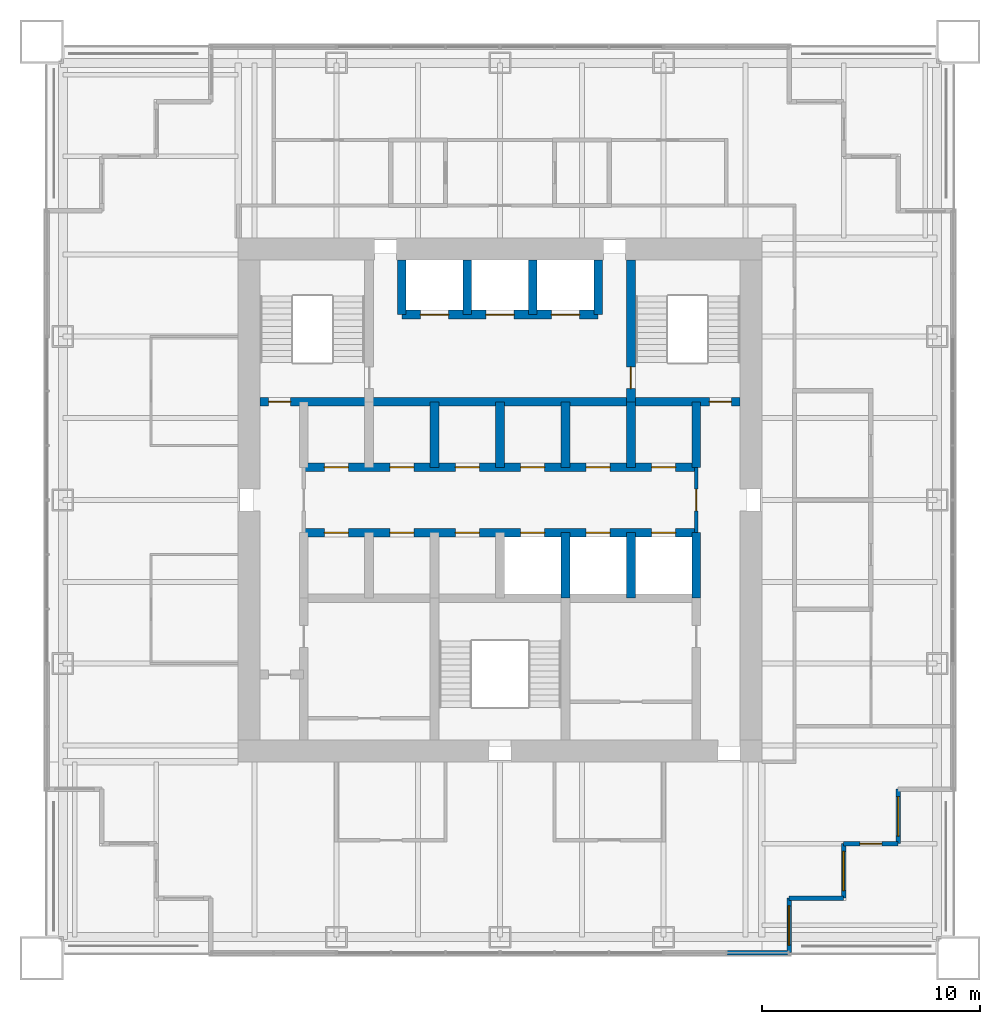
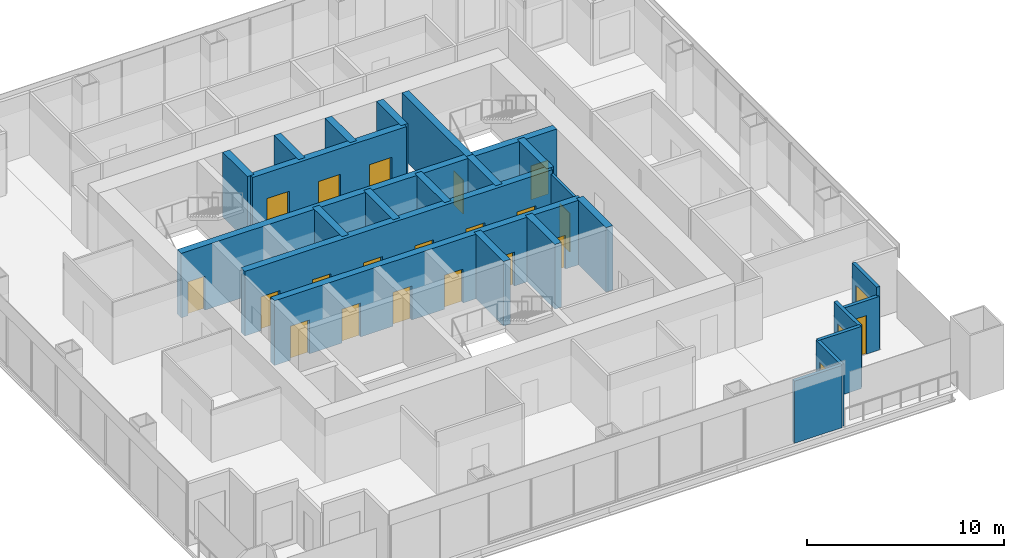
# One storey, part 10 of 14: 24 walls, 20 doors, 3 windows, 23 openings.
"""IFC4 building model written with IfcOpenShell, lengths in metres."""

from ifc_helpers import new_model, si_unit, direction, frame, frame_2d, origin, place, context, subcontext, project, spatial, rectangle, extrude, material, layer, layer_set, type_object, element, fill, save


model = new_model("IFC4")

# Units and contexts
model_context = context("Model", 3, precision=1e-05, world=origin(), true_north=direction((0.0, 1.0)))
body_context = subcontext(model_context, "Body", "Model", "MODEL_VIEW")
ifc_project = project(units=[si_unit("LENGTHUNIT", "METRE"), si_unit("AREAUNIT", "SQUARE_METRE"), si_unit("VOLUMEUNIT", "CUBIC_METRE"), si_unit("PLANEANGLEUNIT", "RADIAN"), si_unit("MASSUNIT", "GRAM", prefix="KILO")], contexts=[model_context])

# Site, building, storey
site_placement = place(None, origin())
site = spatial("IfcSite", under=ifc_project, at=site_placement, CompositionType="ELEMENT")
building_placement = place(site_placement, origin())
building = spatial("IfcBuilding", under=site, at=building_placement, Name="Tarangal Relay Tower", CompositionType="ELEMENT")
storey_placement = place(building_placement, frame((0.0, 0.0, 323.89990234375)))
storey = spatial("IfcBuildingStorey", under=building, at=storey_placement, Name="L72", CompositionType="ELEMENT", Elevation=323.89990234375)

# Wall, openings, doors
ifc_material_1 = material(Name="Concrete fc' 60 MPa", Category="concrete")
ifc_layer_1 = layer(ifc_material_1, 0.39990234375)
ifc_layer_set_1 = layer_set([ifc_layer_1], Name="Core inner wall 400")
wall_type_1 = type_object("IfcWallType", Name="Core inner wall 400", PredefinedType="SHEAR", material=ifc_layer_set_1)
wall_1_placement = place(storey_placement, frame((-11.0, 4.5, 0.0), z_axis=(0.0, 0.0, 1.0), x_axis=(1.0, 0.0, 0.0)))
wall_1 = element("IfcWall", 1, at=wall_1_placement, inside=storey, type_object=wall_type_1, Name="Core wall Y45 L72", PredefinedType="SHEAR", context=body_context, shape_type="SweptSolid", body=[
    extrude(rectangle(XDim=22.0, YDim=0.39990234375, at=frame_2d((11.0, 0.0))), origin(), (0.0, 0.0, 1.0), 4.0),
])
opening_1_placement = place(wall_1_placement, frame((0.39990234375, 0.0, 0.0)))
opening_1 = element("IfcOpeningElement", 2, at=opening_1_placement, cuts=wall_1, Name="Opening FD1", PredefinedType="OPENING", context=body_context, shape_type="SweptSolid", body=[
    extrude(rectangle(XDim=1.0, YDim=2.10009765625, at=frame_2d((0.5, 1.050048828125))), frame((0.0, 0.2099609375, 0.0), z_axis=(0.0, -1.0, 0.0), x_axis=(1.0, 0.0, 0.0)), (0.0, 0.0, 1.0), 0.419921875),
])
opening_2_placement = place(wall_1_placement, frame((20.60009765625, 0.0, 0.0)))
opening_2 = element("IfcOpeningElement", 3, at=opening_2_placement, cuts=wall_1, Name="Opening FD1", PredefinedType="OPENING", context=body_context, shape_type="SweptSolid", body=[
    extrude(rectangle(XDim=1.0, YDim=2.10009765625, at=frame_2d((0.5, 1.050048828125))), frame((0.0, 0.2099609375, 0.0), z_axis=(0.0, -1.0, 0.0), x_axis=(1.0, 0.0, 0.0)), (0.0, 0.0, 1.0), 0.419921875),
])
ifc_material_2 = material(Name="Steel door with hardwood frame", Category="steel")
door_type_1 = type_object("IfcDoorType", Name="Fire door 1000 x 2100", OperationType="SINGLE_SWING_LEFT", PredefinedType="DOOR", material=ifc_material_2)
door_1_placement = place(opening_1_placement, origin())
door_1 = element("IfcDoor", 4, at=door_1_placement, inside=storey, type_object=door_type_1, Name="Stair ST-A door from corridor L72", OperationType="SINGLE_SWING_LEFT", OverallHeight=2.10009765625, OverallWidth=1.0, PredefinedType="DOOR", context=body_context, shape_type="SweptSolid", body=[
    extrude(rectangle(XDim=1.0, YDim=2.10009765625, at=frame_2d((0.5, 1.050048828125))), frame((0.0, 0.02490234375, 0.0), z_axis=(0.0, -1.0, 0.0), x_axis=(1.0, 0.0, 0.0)), (0.0, 0.0, 1.0), 0.050048828125),
])
fill(opening_1, door_1)
door_2_placement = place(opening_2_placement, origin())
door_2 = element("IfcDoor", 5, at=door_2_placement, inside=storey, type_object=door_type_1, Name="Stair ST-B door from corridor L72", OperationType="SINGLE_SWING_LEFT", OverallHeight=2.10009765625, OverallWidth=1.0, PredefinedType="DOOR", context=body_context, shape_type="SweptSolid", body=[
    extrude(rectangle(XDim=1.0, YDim=2.10009765625, at=frame_2d((0.5, 1.050048828125))), frame((0.0, 0.02490234375, 0.0), z_axis=(0.0, -1.0, 0.0), x_axis=(1.0, 0.0, 0.0)), (0.0, 0.0, 1.0), 0.050048828125),
])
fill(opening_2, door_2)

wall_2_placement = place(storey_placement, frame((-9.0, 1.5, 0.0), z_axis=(0.0, 0.0, 1.0), x_axis=(1.0, 0.0, 0.0)))
wall_2 = element("IfcWall", 6, at=wall_2_placement, inside=storey, type_object=wall_type_1, Name="Core wall Y15 L72", PredefinedType="SHEAR", context=body_context, shape_type="SweptSolid", body=[
    extrude(rectangle(XDim=18.0, YDim=0.39990234375, at=frame_2d((9.0, 0.0))), origin(), (0.0, 0.0, 1.0), 4.0),
])
opening_3_placement = place(wall_2_placement, frame((0.949951171875, 0.0, 0.0)))
opening_3 = element("IfcOpeningElement", 7, at=opening_3_placement, cuts=wall_2, Name="Opening D4", PredefinedType="OPENING", context=body_context, shape_type="SweptSolid", body=[
    extrude(rectangle(XDim=1.10009765625, YDim=2.10009765625, at=frame_2d((0.550048828125, 1.050048828125))), frame((0.0, 0.2099609375, 0.0), z_axis=(0.0, -1.0, 0.0), x_axis=(1.0, 0.0, 0.0)), (0.0, 0.0, 1.0), 0.419921875),
])
opening_4_placement = place(wall_2_placement, frame((3.949951171875, 0.0, 0.0)))
opening_4 = element("IfcOpeningElement", 8, at=opening_4_placement, cuts=wall_2, Name="Opening D4", PredefinedType="OPENING", context=body_context, shape_type="SweptSolid", body=[
    extrude(rectangle(XDim=1.10009765625, YDim=2.10009765625, at=frame_2d((0.550048828125, 1.050048828125))), frame((0.0, 0.2099609375, 0.0), z_axis=(0.0, -1.0, 0.0), x_axis=(1.0, 0.0, 0.0)), (0.0, 0.0, 1.0), 0.419921875),
])
opening_5_placement = place(wall_2_placement, frame((6.949951171875, 0.0, 0.0)))
opening_5 = element("IfcOpeningElement", 9, at=opening_5_placement, cuts=wall_2, Name="Opening D4", PredefinedType="OPENING", context=body_context, shape_type="SweptSolid", body=[
    extrude(rectangle(XDim=1.10009765625, YDim=2.10009765625, at=frame_2d((0.550048828125, 1.050048828125))), frame((0.0, 0.2099609375, 0.0), z_axis=(0.0, -1.0, 0.0), x_axis=(1.0, 0.0, 0.0)), (0.0, 0.0, 1.0), 0.419921875),
])
opening_6_placement = place(wall_2_placement, frame((9.949951171875, 0.0, 0.0)))
opening_6 = element("IfcOpeningElement", 10, at=opening_6_placement, cuts=wall_2, Name="Opening D4", PredefinedType="OPENING", context=body_context, shape_type="SweptSolid", body=[
    extrude(rectangle(XDim=1.10009765625, YDim=2.10009765625, at=frame_2d((0.550048828125, 1.050048828125))), frame((0.0, 0.2099609375, 0.0), z_axis=(0.0, -1.0, 0.0), x_axis=(1.0, 0.0, 0.0)), (0.0, 0.0, 1.0), 0.419921875),
])
opening_7_placement = place(wall_2_placement, frame((12.949951171875, 0.0, 0.0)))
opening_7 = element("IfcOpeningElement", 11, at=opening_7_placement, cuts=wall_2, Name="Opening D4", PredefinedType="OPENING", context=body_context, shape_type="SweptSolid", body=[
    extrude(rectangle(XDim=1.10009765625, YDim=2.10009765625, at=frame_2d((0.550048828125, 1.050048828125))), frame((0.0, 0.2099609375, 0.0), z_axis=(0.0, -1.0, 0.0), x_axis=(1.0, 0.0, 0.0)), (0.0, 0.0, 1.0), 0.419921875),
])
opening_8_placement = place(wall_2_placement, frame((15.949951171875, 0.0, 0.0)))
opening_8 = element("IfcOpeningElement", 12, at=opening_8_placement, cuts=wall_2, Name="Opening D4", PredefinedType="OPENING", context=body_context, shape_type="SweptSolid", body=[
    extrude(rectangle(XDim=1.10009765625, YDim=2.10009765625, at=frame_2d((0.550048828125, 1.050048828125))), frame((0.0, 0.2099609375, 0.0), z_axis=(0.0, -1.0, 0.0), x_axis=(1.0, 0.0, 0.0)), (0.0, 0.0, 1.0), 0.419921875),
])
door_type_2 = type_object("IfcDoorType", Name="Core room door 1100 x 2100", OperationType="SINGLE_SWING_RIGHT", PredefinedType="DOOR", material=ifc_material_2)
door_3_placement = place(opening_3_placement, origin())
door_3 = element("IfcDoor", 13, at=door_3_placement, inside=storey, type_object=door_type_2, Name="Door D4 to staff wc L72-D1", OperationType="SINGLE_SWING_RIGHT", OverallHeight=2.10009765625, OverallWidth=1.10009765625, PredefinedType="DOOR", context=body_context, shape_type="SweptSolid", body=[
    extrude(rectangle(XDim=1.10009765625, YDim=2.10009765625, at=frame_2d((0.550048828125, 1.050048828125))), frame((0.0, 0.02490234375, 0.0), z_axis=(0.0, -1.0, 0.0), x_axis=(1.0, 0.0, 0.0)), (0.0, 0.0, 1.0), 0.050048828125),
])
fill(opening_3, door_3)
door_4_placement = place(opening_4_placement, origin())
door_4 = element("IfcDoor", 14, at=door_4_placement, inside=storey, type_object=door_type_2, Name="Door D4 to staff pantry L72-D2", OperationType="SINGLE_SWING_RIGHT", OverallHeight=2.10009765625, OverallWidth=1.10009765625, PredefinedType="DOOR", context=body_context, shape_type="SweptSolid", body=[
    extrude(rectangle(XDim=1.10009765625, YDim=2.10009765625, at=frame_2d((0.550048828125, 1.050048828125))), frame((0.0, 0.02490234375, 0.0), z_axis=(0.0, -1.0, 0.0), x_axis=(1.0, 0.0, 0.0)), (0.0, 0.0, 1.0), 0.050048828125),
])
fill(opening_4, door_4)
door_5_placement = place(opening_5_placement, origin())
door_5 = element("IfcDoor", 15, at=door_5_placement, inside=storey, type_object=door_type_2, Name="Door D4 to it room L72-D3", OperationType="SINGLE_SWING_RIGHT", OverallHeight=2.10009765625, OverallWidth=1.10009765625, PredefinedType="DOOR", context=body_context, shape_type="SweptSolid", body=[
    extrude(rectangle(XDim=1.10009765625, YDim=2.10009765625, at=frame_2d((0.550048828125, 1.050048828125))), frame((0.0, 0.02490234375, 0.0), z_axis=(0.0, -1.0, 0.0), x_axis=(1.0, 0.0, 0.0)), (0.0, 0.0, 1.0), 0.050048828125),
])
fill(opening_5, door_5)
door_6_placement = place(opening_6_placement, origin())
door_6 = element("IfcDoor", 16, at=door_6_placement, inside=storey, type_object=door_type_2, Name="Door D4 to cleaner's store L72-T1", OperationType="SINGLE_SWING_RIGHT", OverallHeight=2.10009765625, OverallWidth=1.10009765625, PredefinedType="DOOR", context=body_context, shape_type="SweptSolid", body=[
    extrude(rectangle(XDim=1.10009765625, YDim=2.10009765625, at=frame_2d((0.550048828125, 1.050048828125))), frame((0.0, 0.02490234375, 0.0), z_axis=(0.0, -1.0, 0.0), x_axis=(1.0, 0.0, 0.0)), (0.0, 0.0, 1.0), 0.050048828125),
])
fill(opening_6, door_6)
door_7_placement = place(opening_7_placement, origin())
door_7 = element("IfcDoor", 17, at=door_7_placement, inside=storey, type_object=door_type_2, Name="Door D4 to staff wc L72-T2", OperationType="SINGLE_SWING_RIGHT", OverallHeight=2.10009765625, OverallWidth=1.10009765625, PredefinedType="DOOR", context=body_context, shape_type="SweptSolid", body=[
    extrude(rectangle(XDim=1.10009765625, YDim=2.10009765625, at=frame_2d((0.550048828125, 1.050048828125))), frame((0.0, 0.02490234375, 0.0), z_axis=(0.0, -1.0, 0.0), x_axis=(1.0, 0.0, 0.0)), (0.0, 0.0, 1.0), 0.050048828125),
])
fill(opening_7, door_7)
door_8_placement = place(opening_8_placement, origin())
door_8 = element("IfcDoor", 18, at=door_8_placement, inside=storey, type_object=door_type_2, Name="Door D4 to staff pantry L72-T3", OperationType="SINGLE_SWING_RIGHT", OverallHeight=2.10009765625, OverallWidth=1.10009765625, PredefinedType="DOOR", context=body_context, shape_type="SweptSolid", body=[
    extrude(rectangle(XDim=1.10009765625, YDim=2.10009765625, at=frame_2d((0.550048828125, 1.050048828125))), frame((0.0, 0.02490234375, 0.0), z_axis=(0.0, -1.0, 0.0), x_axis=(1.0, 0.0, 0.0)), (0.0, 0.0, 1.0), 0.050048828125),
])
fill(opening_8, door_8)

wall_3_placement = place(storey_placement, frame((-9.0, -1.5, 0.0), z_axis=(0.0, 0.0, 1.0), x_axis=(1.0, 0.0, 0.0)))
wall_3 = element("IfcWall", 19, at=wall_3_placement, inside=storey, type_object=wall_type_1, Name="Core wall YM15 L72", PredefinedType="SHEAR", context=body_context, shape_type="SweptSolid", body=[
    extrude(rectangle(XDim=18.0, YDim=0.39990234375, at=frame_2d((9.0, 0.0))), origin(), (0.0, 0.0, 1.0), 4.0),
])
opening_9_placement = place(wall_3_placement, frame((9.949951171875, 0.0, 0.0)))
opening_9 = element("IfcOpeningElement", 20, at=opening_9_placement, cuts=wall_3, Name="Opening LD1", PredefinedType="OPENING", context=body_context, shape_type="SweptSolid", body=[
    extrude(rectangle(XDim=1.10009765625, YDim=2.10009765625, at=frame_2d((0.550048828125, 1.050048828125))), frame((0.0, 0.2099609375, 0.0), z_axis=(0.0, -1.0, 0.0), x_axis=(1.0, 0.0, 0.0)), (0.0, 0.0, 1.0), 0.419921875),
])
opening_10_placement = place(wall_3_placement, frame((12.949951171875, 0.0, 0.0)))
opening_10 = element("IfcOpeningElement", 21, at=opening_10_placement, cuts=wall_3, Name="Opening LD1", PredefinedType="OPENING", context=body_context, shape_type="SweptSolid", body=[
    extrude(rectangle(XDim=1.10009765625, YDim=2.10009765625, at=frame_2d((0.550048828125, 1.050048828125))), frame((0.0, 0.2099609375, 0.0), z_axis=(0.0, -1.0, 0.0), x_axis=(1.0, 0.0, 0.0)), (0.0, 0.0, 1.0), 0.419921875),
])
opening_11_placement = place(wall_3_placement, frame((15.949951171875, 0.0, 0.0)))
opening_11 = element("IfcOpeningElement", 22, at=opening_11_placement, cuts=wall_3, Name="Opening LD1", PredefinedType="OPENING", context=body_context, shape_type="SweptSolid", body=[
    extrude(rectangle(XDim=1.10009765625, YDim=2.10009765625, at=frame_2d((0.550048828125, 1.050048828125))), frame((0.0, 0.2099609375, 0.0), z_axis=(0.0, -1.0, 0.0), x_axis=(1.0, 0.0, 0.0)), (0.0, 0.0, 1.0), 0.419921875),
])
opening_12_placement = place(wall_3_placement, frame((0.949951171875, 0.0, 0.0)))
opening_12 = element("IfcOpeningElement", 23, at=opening_12_placement, cuts=wall_3, Name="Opening D4", PredefinedType="OPENING", context=body_context, shape_type="SweptSolid", body=[
    extrude(rectangle(XDim=1.10009765625, YDim=2.10009765625, at=frame_2d((0.550048828125, 1.050048828125))), frame((0.0, 0.2099609375, 0.0), z_axis=(0.0, -1.0, 0.0), x_axis=(1.0, 0.0, 0.0)), (0.0, 0.0, 1.0), 0.419921875),
])
opening_13_placement = place(wall_3_placement, frame((3.949951171875, 0.0, 0.0)))
opening_13 = element("IfcOpeningElement", 24, at=opening_13_placement, cuts=wall_3, Name="Opening D4", PredefinedType="OPENING", context=body_context, shape_type="SweptSolid", body=[
    extrude(rectangle(XDim=1.10009765625, YDim=2.10009765625, at=frame_2d((0.550048828125, 1.050048828125))), frame((0.0, 0.2099609375, 0.0), z_axis=(0.0, -1.0, 0.0), x_axis=(1.0, 0.0, 0.0)), (0.0, 0.0, 1.0), 0.419921875),
])
opening_14_placement = place(wall_3_placement, frame((6.949951171875, 0.0, 0.0)))
opening_14 = element("IfcOpeningElement", 25, at=opening_14_placement, cuts=wall_3, Name="Opening D4", PredefinedType="OPENING", context=body_context, shape_type="SweptSolid", body=[
    extrude(rectangle(XDim=1.10009765625, YDim=2.10009765625, at=frame_2d((0.550048828125, 1.050048828125))), frame((0.0, 0.2099609375, 0.0), z_axis=(0.0, -1.0, 0.0), x_axis=(1.0, 0.0, 0.0)), (0.0, 0.0, 1.0), 0.419921875),
])
door_9_placement = place(opening_12_placement, origin())
door_9 = element("IfcDoor", 26, at=door_9_placement, inside=storey, type_object=door_type_2, Name="Door D4 to it room L72-S1", OperationType="SINGLE_SWING_RIGHT", OverallHeight=2.10009765625, OverallWidth=1.10009765625, PredefinedType="DOOR", context=body_context, shape_type="SweptSolid", body=[
    extrude(rectangle(XDim=1.10009765625, YDim=2.10009765625, at=frame_2d((0.550048828125, 1.050048828125))), frame((0.0, 0.02490234375, 0.0), z_axis=(0.0, -1.0, 0.0), x_axis=(1.0, 0.0, 0.0)), (0.0, 0.0, 1.0), 0.050048828125),
])
fill(opening_12, door_9)
door_10_placement = place(opening_13_placement, origin())
door_10 = element("IfcDoor", 27, at=door_10_placement, inside=storey, type_object=door_type_2, Name="Door D4 to cleaner's store L72-S2", OperationType="SINGLE_SWING_RIGHT", OverallHeight=2.10009765625, OverallWidth=1.10009765625, PredefinedType="DOOR", context=body_context, shape_type="SweptSolid", body=[
    extrude(rectangle(XDim=1.10009765625, YDim=2.10009765625, at=frame_2d((0.550048828125, 1.050048828125))), frame((0.0, 0.02490234375, 0.0), z_axis=(0.0, -1.0, 0.0), x_axis=(1.0, 0.0, 0.0)), (0.0, 0.0, 1.0), 0.050048828125),
])
fill(opening_13, door_10)
door_11_placement = place(opening_14_placement, origin())
door_11 = element("IfcDoor", 28, at=door_11_placement, inside=storey, type_object=door_type_2, Name="Door D4 to staff wc L72-S3", OperationType="SINGLE_SWING_RIGHT", OverallHeight=2.10009765625, OverallWidth=1.10009765625, PredefinedType="DOOR", context=body_context, shape_type="SweptSolid", body=[
    extrude(rectangle(XDim=1.10009765625, YDim=2.10009765625, at=frame_2d((0.550048828125, 1.050048828125))), frame((0.0, 0.02490234375, 0.0), z_axis=(0.0, -1.0, 0.0), x_axis=(1.0, 0.0, 0.0)), (0.0, 0.0, 1.0), 0.050048828125),
])
fill(opening_14, door_11)
door_type_3 = type_object("IfcDoorType", Name="Lift landing door 1100 x 2100", OperationType="SLIDING_TO_LEFT", PredefinedType="DOOR", material=ifc_material_2)
door_12_placement = place(opening_9_placement, origin())
door_12 = element("IfcDoor", 29, at=door_12_placement, inside=storey, type_object=door_type_3, Name="Lift OH1 landing door L72", OperationType="SLIDING_TO_LEFT", OverallHeight=2.10009765625, OverallWidth=1.10009765625, PredefinedType="DOOR", context=body_context, shape_type="SweptSolid", body=[
    extrude(rectangle(XDim=1.10009765625, YDim=2.10009765625, at=frame_2d((0.550048828125, 1.050048828125))), frame((0.0, 0.02490234375, 0.0), z_axis=(0.0, -1.0, 0.0), x_axis=(1.0, 0.0, 0.0)), (0.0, 0.0, 1.0), 0.050048828125),
])
fill(opening_9, door_12)
door_13_placement = place(opening_10_placement, origin())
door_13 = element("IfcDoor", 30, at=door_13_placement, inside=storey, type_object=door_type_3, Name="Lift OH2 landing door L72", OperationType="SLIDING_TO_LEFT", OverallHeight=2.10009765625, OverallWidth=1.10009765625, PredefinedType="DOOR", context=body_context, shape_type="SweptSolid", body=[
    extrude(rectangle(XDim=1.10009765625, YDim=2.10009765625, at=frame_2d((0.550048828125, 1.050048828125))), frame((0.0, 0.02490234375, 0.0), z_axis=(0.0, -1.0, 0.0), x_axis=(1.0, 0.0, 0.0)), (0.0, 0.0, 1.0), 0.050048828125),
])
fill(opening_10, door_13)
door_14_placement = place(opening_11_placement, origin())
door_14 = element("IfcDoor", 31, at=door_14_placement, inside=storey, type_object=door_type_3, Name="Lift OH3 landing door L72", OperationType="SLIDING_TO_LEFT", OverallHeight=2.10009765625, OverallWidth=1.10009765625, PredefinedType="DOOR", context=body_context, shape_type="SweptSolid", body=[
    extrude(rectangle(XDim=1.10009765625, YDim=2.10009765625, at=frame_2d((0.550048828125, 1.050048828125))), frame((0.0, 0.02490234375, 0.0), z_axis=(0.0, -1.0, 0.0), x_axis=(1.0, 0.0, 0.0)), (0.0, 0.0, 1.0), 0.050048828125),
])
fill(opening_11, door_14)

wall_4_placement = place(storey_placement, frame((-4.5, 8.5, 0.0), z_axis=(0.0, 0.0, 1.0), x_axis=(1.0, 0.0, 0.0)))
wall_4 = element("IfcWall", 32, at=wall_4_placement, inside=storey, type_object=wall_type_1, Name="Core wall Y85 L72", PredefinedType="SHEAR", context=body_context, shape_type="SweptSolid", body=[
    extrude(rectangle(XDim=9.0, YDim=0.39990234375, at=frame_2d((4.5, 0.0))), origin(), (0.0, 0.0, 1.0), 4.0),
])
opening_15_placement = place(wall_4_placement, frame((0.85009765625, 0.0, 0.0)))
opening_15 = element("IfcOpeningElement", 33, at=opening_15_placement, cuts=wall_4, Name="Opening LD2", PredefinedType="OPENING", context=body_context, shape_type="SweptSolid", body=[
    extrude(rectangle(XDim=1.300048828125, YDim=2.39990234375, at=frame_2d((0.64990234375, 1.199951171875))), frame((0.0, 0.2099609375, 0.0), z_axis=(0.0, -1.0, 0.0), x_axis=(1.0, 0.0, 0.0)), (0.0, 0.0, 1.0), 0.419921875),
])
opening_16_placement = place(wall_4_placement, frame((6.85009765625, 0.0, 0.0)))
opening_16 = element("IfcOpeningElement", 34, at=opening_16_placement, cuts=wall_4, Name="Opening LD2", PredefinedType="OPENING", context=body_context, shape_type="SweptSolid", body=[
    extrude(rectangle(XDim=1.300048828125, YDim=2.39990234375, at=frame_2d((0.64990234375, 1.199951171875))), frame((0.0, 0.2099609375, 0.0), z_axis=(0.0, -1.0, 0.0), x_axis=(1.0, 0.0, 0.0)), (0.0, 0.0, 1.0), 0.419921875),
])
opening_17_placement = place(wall_4_placement, frame((3.85009765625, 0.0, 0.0)))
opening_17 = element("IfcOpeningElement", 35, at=opening_17_placement, cuts=wall_4, Name="Opening LD2", PredefinedType="OPENING", context=body_context, shape_type="SweptSolid", body=[
    extrude(rectangle(XDim=1.300048828125, YDim=2.39990234375, at=frame_2d((0.64990234375, 1.199951171875))), frame((0.0, 0.2099609375, 0.0), z_axis=(0.0, -1.0, 0.0), x_axis=(1.0, 0.0, 0.0)), (0.0, 0.0, 1.0), 0.419921875),
])
door_type_4 = type_object("IfcDoorType", Name="Lift landing door 1300 x 2400", OperationType="SLIDING_TO_LEFT", PredefinedType="DOOR", material=ifc_material_2)
door_15_placement = place(opening_15_placement, origin())
door_15 = element("IfcDoor", 36, at=door_15_placement, inside=storey, type_object=door_type_4, Name="Lift FF1 landing door L72", OperationType="SLIDING_TO_LEFT", OverallHeight=2.39990234375, OverallWidth=1.300048828125, PredefinedType="DOOR", context=body_context, shape_type="SweptSolid", body=[
    extrude(rectangle(XDim=1.300048828125, YDim=2.39990234375, at=frame_2d((0.64990234375, 1.199951171875))), frame((0.0, 0.02490234375, 0.0), z_axis=(0.0, -1.0, 0.0), x_axis=(1.0, 0.0, 0.0)), (0.0, 0.0, 1.0), 0.050048828125),
])
fill(opening_15, door_15)
door_16_placement = place(opening_16_placement, origin())
door_16 = element("IfcDoor", 37, at=door_16_placement, inside=storey, type_object=door_type_4, Name="Lift FF2 landing door L72", OperationType="SLIDING_TO_LEFT", OverallHeight=2.39990234375, OverallWidth=1.300048828125, PredefinedType="DOOR", context=body_context, shape_type="SweptSolid", body=[
    extrude(rectangle(XDim=1.300048828125, YDim=2.39990234375, at=frame_2d((0.64990234375, 1.199951171875))), frame((0.0, 0.02490234375, 0.0), z_axis=(0.0, -1.0, 0.0), x_axis=(1.0, 0.0, 0.0)), (0.0, 0.0, 1.0), 0.050048828125),
])
fill(opening_16, door_16)
door_17_placement = place(opening_17_placement, origin())
door_17 = element("IfcDoor", 38, at=door_17_placement, inside=storey, type_object=door_type_4, Name="Lift SV1 landing door L72", OperationType="SLIDING_TO_LEFT", OverallHeight=2.39990234375, OverallWidth=1.300048828125, PredefinedType="DOOR", context=body_context, shape_type="SweptSolid", body=[
    extrude(rectangle(XDim=1.300048828125, YDim=2.39990234375, at=frame_2d((0.64990234375, 1.199951171875))), frame((0.0, 0.02490234375, 0.0), z_axis=(0.0, -1.0, 0.0), x_axis=(1.0, 0.0, 0.0)), (0.0, 0.0, 1.0), 0.050048828125),
])
fill(opening_17, door_17)

# Walls
for number, where, z_axis, x_axis, name in (
    (39, (9.0, 1.5, 0.0), (0.0, 0.0, 1.0), (0.0, 1.0, 0.0), "Core wall X9N L72"),
    (40, (9.0, -4.5, 0.0), (0.0, 0.0, 1.0), (0.0, 1.0, 0.0), "Core wall X9S L72"),
    (41, (-3.0, 1.5, 0.0), (0.0, 0.0, 1.0), (0.0, 1.0, 0.0), "Core wall XM3N L72"),
    (42, (0.0, 1.5, 0.0), (0.0, 0.0, 1.0), (0.0, 1.0, 0.0), "Core wall X0N L72"),
    (43, (3.0, 1.5, 0.0), (0.0, 0.0, 1.0), (0.0, 1.0, 0.0), "Core wall X3N L72"),
    (44, (6.0, 1.5, 0.0), (0.0, 0.0, 1.0), (0.0, 1.0, 0.0), "Core wall X6N L72"),
    (45, (3.0, -4.5, 0.0), (0.0, 0.0, 1.0), (0.0, 1.0, 0.0), "Core wall X3S L72"),
    (46, (6.0, -4.5, 0.0), (0.0, 0.0, 1.0), (0.0, 1.0, 0.0), "Core wall X6S L72"),
):
    element("IfcWall", number, at=place(storey_placement, frame(where, z_axis=z_axis, x_axis=x_axis)), inside=storey, type_object=wall_type_1, Name=name, PredefinedType="SHEAR", context=body_context, shape_type="SweptSolid", body=[
        extrude(rectangle(XDim=3.0, YDim=0.39990234375, at=frame_2d((1.5, 0.0))), origin(), (0.0, 0.0, 1.0), 4.0),
    ])

# Wall, opening, door
wall_5_placement = place(storey_placement, frame((6.0, 4.5, 0.0), z_axis=(0.0, 0.0, 1.0), x_axis=(0.0, 1.0, 0.0)))
wall_5 = element("IfcWall", 47, at=wall_5_placement, inside=storey, type_object=wall_type_1, Name="Core wall X6 L72", PredefinedType="SHEAR", context=body_context, shape_type="SweptSolid", body=[
    extrude(rectangle(XDim=6.5, YDim=0.39990234375, at=frame_2d((3.25, 0.0))), origin(), (0.0, 0.0, 1.0), 4.0),
])
opening_18_placement = place(wall_5_placement, frame((0.60009765625, 0.0, 0.0)))
opening_18 = element("IfcOpeningElement", 48, at=opening_18_placement, cuts=wall_5, Name="Opening FD1", PredefinedType="OPENING", context=body_context, shape_type="SweptSolid", body=[
    extrude(rectangle(XDim=1.0, YDim=2.10009765625, at=frame_2d((0.5, 1.050048828125))), frame((0.0, 0.2099609375, 0.0), z_axis=(0.0, -1.0, 0.0), x_axis=(1.0, 0.0, 0.0)), (0.0, 0.0, 1.0), 0.419921875),
])
door_18_placement = place(opening_18_placement, origin())
door_18 = element("IfcDoor", 49, at=door_18_placement, inside=storey, type_object=door_type_1, Name="Stair ST-B door from fire-fighting lobby L72", OperationType="SINGLE_SWING_LEFT", OverallHeight=2.10009765625, OverallWidth=1.0, PredefinedType="DOOR", context=body_context, shape_type="SweptSolid", body=[
    extrude(rectangle(XDim=1.0, YDim=2.10009765625, at=frame_2d((0.5, 1.050048828125))), frame((0.0, 0.02490234375, 0.0), z_axis=(0.0, -1.0, 0.0), x_axis=(1.0, 0.0, 0.0)), (0.0, 0.0, 1.0), 0.050048828125),
])
fill(opening_18, door_18)

# Walls
for number, where, z_axis, x_axis, name in (
    (50, (-4.5, 8.5, 0.0), (0.0, 0.0, 1.0), (0.0, 1.0, 0.0), "Core wall XM45 L72"),
    (51, (4.5, 8.5, 0.0), (0.0, 0.0, 1.0), (0.0, 1.0, 0.0), "Core wall X45 L72"),
    (52, (-1.5, 8.5, 0.0), (0.0, 0.0, 1.0), (0.0, 1.0, 0.0), "Core wall XM15 L72"),
    (53, (1.5, 8.5, 0.0), (0.0, 0.0, 1.0), (0.0, 1.0, 0.0), "Core wall X15 L72"),
):
    element("IfcWall", number, at=place(storey_placement, frame(where, z_axis=z_axis, x_axis=x_axis)), inside=storey, type_object=wall_type_1, Name=name, PredefinedType="SHEAR", context=body_context, shape_type="SweptSolid", body=[
        extrude(rectangle(XDim=2.5, YDim=0.39990234375, at=frame_2d((1.25, 0.0))), origin(), (0.0, 0.0, 1.0), 4.0),
    ])

# Wall, opening, window
ifc_material_3 = material(Name="Black metal clad insulated wall", Category="steel")
ifc_layer_2 = layer(ifc_material_3, 0.199951171875)
ifc_layer_set_2 = layer_set([ifc_layer_2], Name="Corner wall metal clad 200")
wall_type_2 = type_object("IfcWallType", Name="Corner wall metal clad 200", PredefinedType="SOLIDWALL", material=ifc_layer_set_2)
wall_6_placement = place(storey_placement, frame((18.25, -13.25, 0.0), z_axis=(0.0, 0.0, 1.0), x_axis=(0.0, -1.0, 0.0)))
wall_6 = element("IfcWall", 54, at=wall_6_placement, inside=storey, type_object=wall_type_2, Name="Facade wall E facade L72", PredefinedType="SOLIDWALL", context=body_context, shape_type="SweptSolid", body=[
    extrude(rectangle(XDim=2.5, YDim=0.199951171875, at=frame_2d((1.25, 0.0))), origin(), (0.0, 0.0, 1.0), 3.85009765625),
])
opening_19_placement = place(wall_6_placement, frame((0.35009765625, 0.0, 0.300048828125)))
opening_19 = element("IfcOpeningElement", 55, at=opening_19_placement, cuts=wall_6, Name="Opening WN2", PredefinedType="OPENING", context=body_context, shape_type="SweptSolid", body=[
    extrude(rectangle(XDim=1.800048828125, YDim=2.39990234375, at=frame_2d((0.89990234375, 1.199951171875))), frame((0.0, 0.10986328125, 0.0), z_axis=(0.0, -1.0, 0.0), x_axis=(1.0, 0.0, 0.0)), (0.0, 0.0, 1.0), 0.219970703125),
])
ifc_material_4 = material(Name="Dark tinted double glazing in black aluminium frame", Category="aluminium")
window_type = type_object("IfcWindowType", Name="Corner window 1800 x 2400", PartitioningType="SINGLE_PANEL", PredefinedType="WINDOW", material=ifc_material_4)
window_1_placement = place(opening_19_placement, origin())
window_1 = element("IfcWindow", 56, at=window_1_placement, inside=storey, type_object=window_type, Name="Corner window WN2 E facade L72", OverallHeight=2.39990234375, OverallWidth=1.800048828125, PartitioningType="SINGLE_PANEL", PredefinedType="WINDOW", context=body_context, shape_type="SweptSolid", body=[
    extrude(rectangle(XDim=1.800048828125, YDim=2.39990234375, at=frame_2d((0.89990234375, 1.199951171875))), frame((0.0, 0.030029296875, 0.0), z_axis=(0.0, -1.0, 0.0), x_axis=(1.0, 0.0, 0.0)), (0.0, 0.0, 1.0), 0.06005859375),
])
fill(opening_19, window_1)

# Wall, opening, door
wall_7_placement = place(storey_placement, frame((18.25, -15.75, 0.0), z_axis=(0.0, 0.0, 1.0), x_axis=(-1.0, 0.0, 0.0)))
wall_7 = element("IfcWall", 57, at=wall_7_placement, inside=storey, type_object=wall_type_2, Name="Facade wall E facade L72", PredefinedType="SOLIDWALL", context=body_context, shape_type="SweptSolid", body=[
    extrude(rectangle(XDim=2.5, YDim=0.199951171875, at=frame_2d((1.25, 0.0))), origin(), (0.0, 0.0, 1.0), 3.316650390625),
])
opening_20_placement = place(wall_7_placement, frame((0.75, 0.0, 0.0)))
opening_20 = element("IfcOpeningElement", 58, at=opening_20_placement, cuts=wall_7, Name="Opening TD1", PredefinedType="OPENING", context=body_context, shape_type="SweptSolid", body=[
    extrude(rectangle(XDim=1.0, YDim=2.39990234375, at=frame_2d((0.5, 1.199951171875))), frame((0.0, 0.10986328125, 0.0), z_axis=(0.0, -1.0, 0.0), x_axis=(1.0, 0.0, 0.0)), (0.0, 0.0, 1.0), 0.219970703125),
])
ifc_material_5 = material(Name="Aluminium glazed door", Category="aluminium")
door_type_5 = type_object("IfcDoorType", Name="Terrace door 1000 x 2400", OperationType="SINGLE_SWING_RIGHT", PredefinedType="DOOR", material=ifc_material_5)
door_19_placement = place(opening_20_placement, origin())
door_19 = element("IfcDoor", 59, at=door_19_placement, inside=storey, type_object=door_type_5, Name="Terrace door TD1 SE L72", OperationType="SINGLE_SWING_RIGHT", OverallHeight=2.39990234375, OverallWidth=1.0, PredefinedType="DOOR", context=body_context, shape_type="SweptSolid", body=[
    extrude(rectangle(XDim=1.0, YDim=2.39990234375, at=frame_2d((0.5, 1.199951171875))), frame((0.0, 0.02490234375, 0.0), z_axis=(0.0, -1.0, 0.0), x_axis=(1.0, 0.0, 0.0)), (0.0, 0.0, 1.0), 0.050048828125),
])
fill(opening_20, door_19)

# Wall, opening, window
wall_8_placement = place(storey_placement, frame((15.75, -15.75, 0.0), z_axis=(0.0, 0.0, 1.0), x_axis=(0.0, -1.0, 0.0)))
wall_8 = element("IfcWall", 60, at=wall_8_placement, inside=storey, type_object=wall_type_2, Name="Facade wall E facade L72", PredefinedType="SOLIDWALL", context=body_context, shape_type="SweptSolid", body=[
    extrude(rectangle(XDim=2.5, YDim=0.199951171875, at=frame_2d((1.25, 0.0))), origin(), (0.0, 0.0, 1.0), 3.85009765625),
])
opening_21_placement = place(wall_8_placement, frame((0.35009765625, 0.0, 0.300048828125)))
opening_21 = element("IfcOpeningElement", 61, at=opening_21_placement, cuts=wall_8, Name="Opening WN2", PredefinedType="OPENING", context=body_context, shape_type="SweptSolid", body=[
    extrude(rectangle(XDim=1.800048828125, YDim=2.39990234375, at=frame_2d((0.89990234375, 1.199951171875))), frame((0.0, 0.10986328125, 0.0), z_axis=(0.0, -1.0, 0.0), x_axis=(1.0, 0.0, 0.0)), (0.0, 0.0, 1.0), 0.219970703125),
])
window_2_placement = place(opening_21_placement, origin())
window_2 = element("IfcWindow", 62, at=window_2_placement, inside=storey, type_object=window_type, Name="Corner window WN2 E facade L72", OverallHeight=2.39990234375, OverallWidth=1.800048828125, PartitioningType="SINGLE_PANEL", PredefinedType="WINDOW", context=body_context, shape_type="SweptSolid", body=[
    extrude(rectangle(XDim=1.800048828125, YDim=2.39990234375, at=frame_2d((0.89990234375, 1.199951171875))), frame((0.0, 0.030029296875, 0.0), z_axis=(0.0, -1.0, 0.0), x_axis=(1.0, 0.0, 0.0)), (0.0, 0.0, 1.0), 0.06005859375),
])
fill(opening_21, window_2)

# Wall
wall_9_placement = place(storey_placement, frame((15.75, -18.25, 0.0), z_axis=(0.0, 0.0, 1.0), x_axis=(-1.0, 0.0, 0.0)))
element("IfcWall", 63, at=wall_9_placement, inside=storey, type_object=wall_type_2, Name="Facade wall E facade L72", PredefinedType="SOLIDWALL", context=body_context, shape_type="SweptSolid", body=[
    extrude(rectangle(XDim=2.5, YDim=0.199951171875, at=frame_2d((1.25, 0.0))), origin(), (0.0, 0.0, 1.0), 3.85009765625),
])

# Wall, opening, window
wall_10_placement = place(storey_placement, frame((13.25, -18.25, 0.0), z_axis=(0.0, 0.0, 1.0), x_axis=(0.0, -1.0, 0.0)))
wall_10 = element("IfcWall", 64, at=wall_10_placement, inside=storey, type_object=wall_type_2, Name="Facade wall E facade L72", PredefinedType="SOLIDWALL", context=body_context, shape_type="SweptSolid", body=[
    extrude(rectangle(XDim=2.5, YDim=0.199951171875, at=frame_2d((1.25, 0.0))), origin(), (0.0, 0.0, 1.0), 3.85009765625),
])
opening_22_placement = place(wall_10_placement, frame((0.35009765625, 0.0, 0.300048828125)))
opening_22 = element("IfcOpeningElement", 65, at=opening_22_placement, cuts=wall_10, Name="Opening WN2", PredefinedType="OPENING", context=body_context, shape_type="SweptSolid", body=[
    extrude(rectangle(XDim=1.800048828125, YDim=2.39990234375, at=frame_2d((0.89990234375, 1.199951171875))), frame((0.0, 0.10986328125, 0.0), z_axis=(0.0, -1.0, 0.0), x_axis=(1.0, 0.0, 0.0)), (0.0, 0.0, 1.0), 0.219970703125),
])
window_3_placement = place(opening_22_placement, origin())
window_3 = element("IfcWindow", 66, at=window_3_placement, inside=storey, type_object=window_type, Name="Corner window WN2 E facade L72", OverallHeight=2.39990234375, OverallWidth=1.800048828125, PartitioningType="SINGLE_PANEL", PredefinedType="WINDOW", context=body_context, shape_type="SweptSolid", body=[
    extrude(rectangle(XDim=1.800048828125, YDim=2.39990234375, at=frame_2d((0.89990234375, 1.199951171875))), frame((0.0, 0.030029296875, 0.0), z_axis=(0.0, -1.0, 0.0), x_axis=(1.0, 0.0, 0.0)), (0.0, 0.0, 1.0), 0.06005859375),
])
fill(opening_22, window_3)

# Wall
ifc_layer_3 = layer(ifc_material_3, 0.199951171875)
ifc_layer_set_3 = layer_set([ifc_layer_3], Name="Facade infill wall metal clad 200")
wall_type_3 = type_object("IfcWallType", Name="Facade infill wall metal clad 200", PredefinedType="SOLIDWALL", material=ifc_layer_set_3)
wall_11_placement = place(storey_placement, frame((13.18994140625, -20.75, 0.0), z_axis=(0.0, 0.0, 1.0), x_axis=(-1.0, 0.0, 0.0)))
element("IfcWall", 67, at=wall_11_placement, inside=storey, type_object=wall_type_3, Name="Facade infill wall S facade L72 1.1", PredefinedType="SOLIDWALL", context=body_context, shape_type="SweptSolid", body=[
    extrude(rectangle(XDim=2.784912109375, YDim=0.199951171875, at=frame_2d((1.392578125, 0.0))), origin(), (0.0, 0.0, 1.0), 3.85009765625),
])

# Wall, opening, door
ifc_material_6 = material(Name="Gypsum board on steel studs", Category="steel")
ifc_layer_4 = layer(ifc_material_6, 0.14990234375)
ifc_layer_set_4 = layer_set([ifc_layer_4], Name="Partition 150")
wall_type_4 = type_object("IfcWallType", Name="Partition 150", PredefinedType="PARTITIONING", material=ifc_layer_set_4)
wall_12_placement = place(storey_placement, frame((9.0, -1.5, 0.0), z_axis=(0.0, 0.0, 1.0), x_axis=(0.0, 1.0, 0.0)))
wall_12 = element("IfcWall", 68, at=wall_12_placement, inside=storey, type_object=wall_type_4, Name="Partition PT1 L72", PredefinedType="PARTITIONING", context=body_context, shape_type="SweptSolid", body=[
    extrude(rectangle(XDim=3.0, YDim=0.14990234375, at=frame_2d((1.5, 0.0))), origin(), (0.0, 0.0, 1.0), 3.75),
])
opening_23_placement = place(wall_12_placement, frame((1.0, 0.0, 0.0)))
opening_23 = element("IfcOpeningElement", 69, at=opening_23_placement, cuts=wall_12, Name="Opening FD3", PredefinedType="OPENING", context=body_context, shape_type="SweptSolid", body=[
    extrude(rectangle(XDim=1.0, YDim=2.39990234375, at=frame_2d((0.5, 1.199951171875))), frame((0.0, 0.0849609375, 0.0), z_axis=(0.0, -1.0, 0.0), x_axis=(1.0, 0.0, 0.0)), (0.0, 0.0, 1.0), 0.169921875),
])
door_type_6 = type_object("IfcDoorType", Name="Fire door 1000 x 2400 core entry", OperationType="SINGLE_SWING_RIGHT", PredefinedType="DOOR", material=ifc_material_2)
door_20_placement = place(opening_23_placement, origin())
door_20 = element("IfcDoor", 70, at=door_20_placement, inside=storey, type_object=door_type_6, Name="Lift lobby door FD3 to the east corridor L72", OperationType="SINGLE_SWING_RIGHT", OverallHeight=2.39990234375, OverallWidth=1.0, PredefinedType="DOOR", context=body_context, shape_type="SweptSolid", body=[
    extrude(rectangle(XDim=1.0, YDim=2.39990234375, at=frame_2d((0.5, 1.199951171875))), frame((0.0, 0.02490234375, 0.0), z_axis=(0.0, -1.0, 0.0), x_axis=(1.0, 0.0, 0.0)), (0.0, 0.0, 1.0), 0.050048828125),
])
fill(opening_23, door_20)

save(model, "model.ifc")
